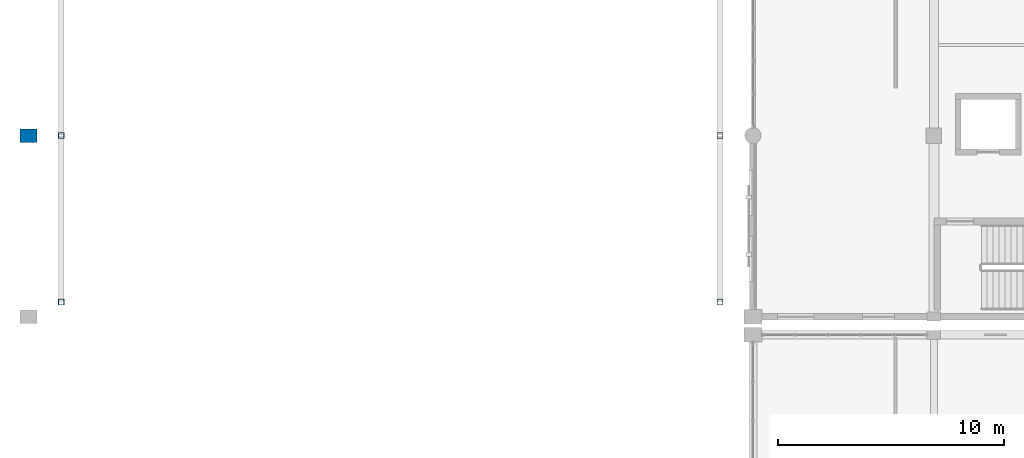
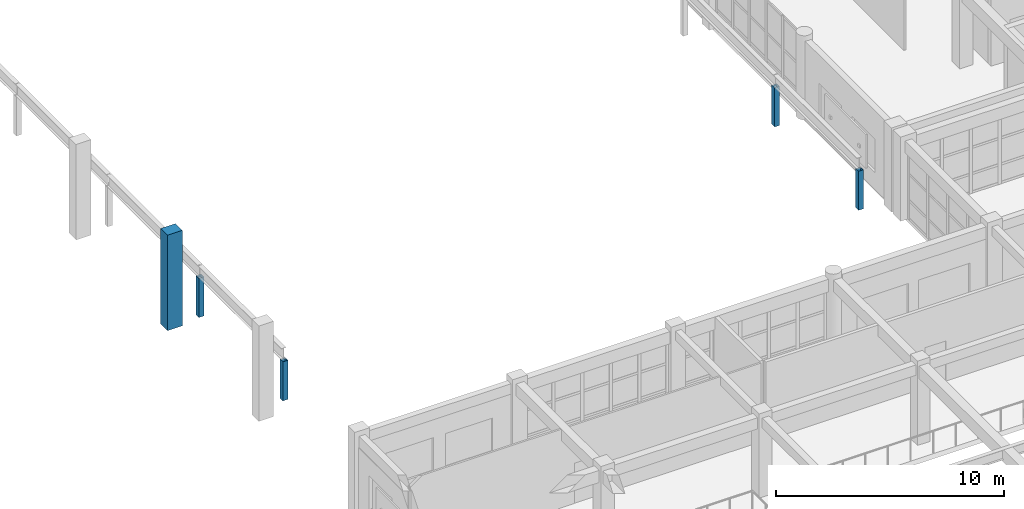
# One storey, part 5 of 160: 5 columns.
"""IFC4 building model written with IfcOpenShell, lengths in metres."""

from ifc_helpers import new_model, si_unit, direction, frame, origin, origin_2d, place, context, subcontext, project, spatial, rectangle, hollow_rectangle, extrude, material, material_profile, profile_set, type_object, element, save


model = new_model("IFC4")

# Units and contexts
model_context = context("Model", 3, precision=1e-05, world=origin(), true_north=direction((0.0, 1.0)))
body_context = subcontext(model_context, "Body", "Model", "MODEL_VIEW")
ifc_project = project(units=[si_unit("LENGTHUNIT", "METRE"), si_unit("AREAUNIT", "SQUARE_METRE"), si_unit("VOLUMEUNIT", "CUBIC_METRE"), si_unit("PLANEANGLEUNIT", "RADIAN"), si_unit("MASSUNIT", "GRAM", prefix="KILO")], contexts=[model_context])

# Site, building, storey
site_placement = place(None, origin())
site = spatial("IfcSite", under=ifc_project, at=site_placement, CompositionType="ELEMENT")
building_placement = place(site_placement, origin())
building = spatial("IfcBuilding", under=site, at=building_placement, Name="Kharva Crest Polytechnic", CompositionType="ELEMENT")
storey_placement = place(building_placement, frame((0.0, 0.0, 4.5)))
storey = spatial("IfcBuildingStorey", under=building, at=storey_placement, Name="L01", CompositionType="ELEMENT", Elevation=4.5)

# Columns
ifc_material_1 = material(Name="Concrete C40/50", Category="concrete")
ifc_material_profile_1 = material_profile(ifc_material_1, rectangle(XDim=0.75, YDim=0.60009765625, at=origin_2d()), Name="RECT 750 X 600")
ifc_profile_set_1 = profile_set([ifc_material_profile_1], Name="Concrete C40/50")
column_type_1 = type_object("IfcColumnType", Name="COL-EXT-750X600", PredefinedType="COLUMN", material=ifc_profile_set_1)
column_placement = place(storey_placement, frame((0.0, 46.800048828125, 0.0), z_axis=(0.0, 0.0, 1.0), x_axis=(1.0, 0.0, 0.0)))
element("IfcColumn", 1, at=column_placement, inside=storey, type_object=column_type_1, Name="L01 Column 1/G", PredefinedType="COLUMN", context=body_context, shape_type="SweptSolid", body=[
    extrude(rectangle(XDim=0.75, YDim=0.60009765625, at=origin_2d()), origin(), (0.0, 0.0, 1.0), 5.10009765625),
])
ifc_material_2 = material(Name="Steel S355", Category="steel")
ifc_material_profile_2 = material_profile(ifc_material_2, hollow_rectangle(XDim=0.25, YDim=0.25, WallThickness=0.010009765625, at=origin_2d()), Name="RHS 250X250X10.0")
ifc_profile_set_2 = profile_set([ifc_material_profile_2], Name="Steel S355")
column_type_2 = type_object("IfcColumnType", Name="COL-STL-RHS250", PredefinedType="COLUMN", material=ifc_profile_set_2)
for number, where, z_axis, x_axis, name in (
    (2, (1.449951171875, 39.449951171875, 0.0), (0.0, 0.0, 1.0), (1.0, 0.0, 0.0), "L01 Crane Upper Column W1"),
    (3, (1.449951171875, 46.800048828125, 0.0), (0.0, 0.0, 1.0), (1.0, 0.0, 0.0), "L01 Crane Upper Column W2"),
    (4, (30.550048828125, 39.449951171875, 0.0), (0.0, 0.0, 1.0), (1.0, 0.0, 0.0), "L01 Crane Upper Column E1"),
    (5, (30.550048828125, 46.800048828125, 0.0), (0.0, 0.0, 1.0), (1.0, 0.0, 0.0), "L01 Crane Upper Column E2"),
):
    element("IfcColumn", number, at=place(storey_placement, frame(where, z_axis=z_axis, x_axis=x_axis)), inside=storey, type_object=column_type_2, Name=name, PredefinedType="COLUMN", context=body_context, shape_type="SweptSolid", body=[
        extrude(hollow_rectangle(XDim=0.25, YDim=0.25, WallThickness=0.010009765625, at=origin_2d()), origin(), (0.0, 0.0, 1.0), 2.087890625),
    ])

save(model, "model.ifc")
